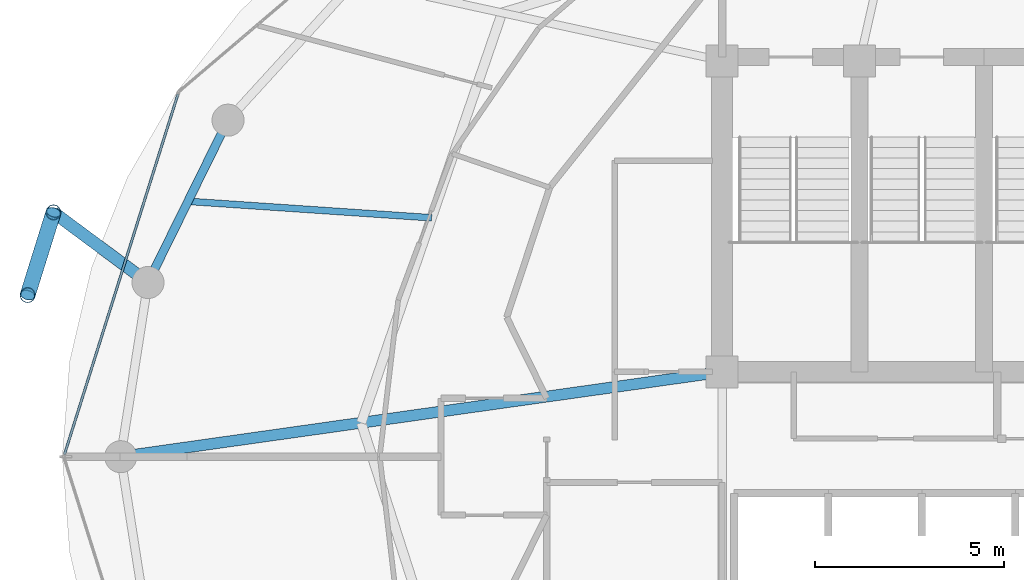
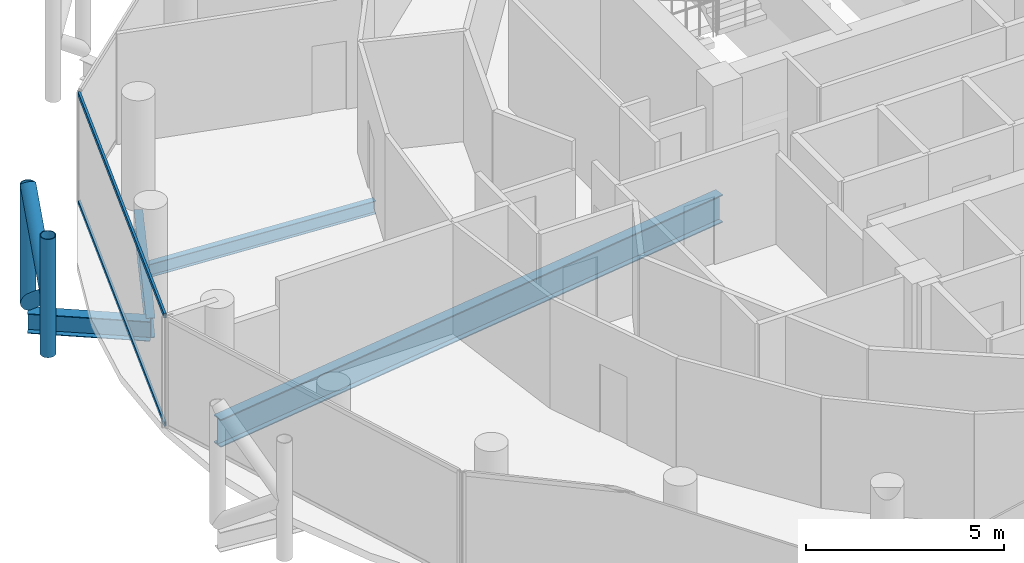
# One storey, part 8 of 28: 6 members, 4 beams, 1 element without a shape of its own.
"""IFC4 building model written with IfcOpenShell, lengths in metres."""

from ifc_helpers import new_model, si_unit, direction, frame, origin, origin_2d, place, context, subcontext, project, spatial, hollow_rectangle, hollow_circle, i_section, extrude, material, layer, layer_set, material_profile, profile_set, type_object, element, aggregate, save


model = new_model("IFC4")

# Units and contexts
model_context = context("Model", 3, precision=1e-05, world=origin(), true_north=direction((0.0, 1.0)))
body_context = subcontext(model_context, "Body", "Model", "MODEL_VIEW")
ifc_project = project(units=[si_unit("LENGTHUNIT", "METRE"), si_unit("AREAUNIT", "SQUARE_METRE"), si_unit("VOLUMEUNIT", "CUBIC_METRE"), si_unit("PLANEANGLEUNIT", "RADIAN"), si_unit("MASSUNIT", "GRAM", prefix="KILO")], contexts=[model_context])

# Site, building, storey
site_placement = place(None, origin())
site = spatial("IfcSite", under=ifc_project, at=site_placement, CompositionType="ELEMENT")
building_placement = place(site_placement, origin())
building = spatial("IfcBuilding", under=site, at=building_placement, Name="Nuhasar Tower", CompositionType="ELEMENT")
storey_placement = place(building_placement, frame((0.0, 0.0, 222.75)))
storey = spatial("IfcBuildingStorey", under=building, at=storey_placement, Name="L54", CompositionType="ELEMENT", Elevation=222.75)

# Beams
ifc_material_1 = material(Name="Steel S355", Category="steel")
ifc_material_profile_1 = material_profile(ifc_material_1, i_section(OverallWidth=0.177978515625, OverallDepth=0.406005859375, WebThickness=0.0078125, FlangeThickness=0.0126953125, at=origin_2d()), Name="W16X40")
ifc_profile_set_1 = profile_set([ifc_material_profile_1], Name="Steel S355")
beam_type_1 = type_object("IfcBeamType", Name="BM-JST-W16X40", PredefinedType="JOIST", material=ifc_profile_set_1)
beam_1_placement = place(storey_placement, frame((25.9970703125, 33.135986328125, -0.443115234375), z_axis=(-0.997721156568, 0.067472170095, 0.0), x_axis=(-0.067472170095, -0.997721156568, 0.0)))
element("IfcBeam", 1, at=beam_1_placement, inside=storey, type_object=beam_type_1, Name="L54 Secondary Floor Joist 07", PredefinedType="JOIST", context=body_context, shape_type="SweptSolid", body=[
    extrude(i_section(OverallWidth=0.177978515625, OverallDepth=0.406005859375, WebThickness=0.0078125, FlangeThickness=0.0126953125, at=origin_2d()), origin(), (0.0, 0.0, 1.0), 6.476806640625),
])
ifc_material_profile_2 = material_profile(ifc_material_1, i_section(OverallWidth=0.2919921875, OverallDepth=0.85888671875, WebThickness=0.01708984375, FlangeThickness=0.031005859375, at=origin_2d()), Name="W33X169")
ifc_profile_set_2 = profile_set([ifc_material_profile_2], Name="Steel S355")
beam_type_2 = type_object("IfcBeamType", Name="BM-POD-W33X169", PredefinedType="BEAM", material=ifc_profile_set_2)
beam_2_placement = place(storey_placement, frame((33.699951171875, 29.050048828125, -0.6689453125), z_axis=(-0.990196233464, -0.139683281866, 0.0), x_axis=(0.139683281866, -0.990196233464, 0.0)))
element("IfcBeam", 2, at=beam_2_placement, inside=storey, type_object=beam_type_2, Name="L54 Radial Floor Girder 08", PredefinedType="BEAM", context=body_context, shape_type="SweptSolid", body=[
    extrude(i_section(OverallWidth=0.2919921875, OverallDepth=0.85888671875, WebThickness=0.01708984375, FlangeThickness=0.031005859375, at=origin_2d()), origin(), (0.0, 0.0, 1.0), 16.10791015625),
])
ifc_material_profile_3 = material_profile(ifc_material_1, i_section(OverallWidth=0.22802734375, OverallDepth=0.60791015625, WebThickness=0.01123046875, FlangeThickness=0.017333984375, at=origin_2d()), Name="W24X76")
ifc_profile_set_3 = profile_set([ifc_material_profile_3], Name="Steel S355")
beam_type_3 = type_object("IfcBeamType", Name="BM-RING-W24X76", PredefinedType="SPANDREL", material=ifc_profile_set_3)
beam_3_placement = place(storey_placement, frame((20.596923828125, 35.72509765625, -0.5439453125), z_axis=(-0.442242604409, -0.896895467067, 0.0), x_axis=(0.896895467067, -0.442242604409, 0.0)))
element("IfcBeam", 3, at=beam_3_placement, inside=storey, type_object=beam_type_3, Name="L54 Perimeter Ring Spandrel 11", PredefinedType="SPANDREL", context=body_context, shape_type="SweptSolid", body=[
    extrude(i_section(OverallWidth=0.22802734375, OverallDepth=0.60791015625, WebThickness=0.01123046875, FlangeThickness=0.017333984375, at=origin_2d()), origin(), (0.0, 0.0, 1.0), 4.800048828125),
])
ifc_material_profile_4 = material_profile(ifc_material_1, i_section(OverallWidth=0.323974609375, OverallDepth=0.611083984375, WebThickness=0.0126953125, FlangeThickness=0.01904296875, at=origin_2d()), Name="W24X104")
ifc_profile_set_4 = profile_set([ifc_material_profile_4], Name="Steel S355")
beam_type_4 = type_object("IfcBeamType", Name="BM-TIE-W24X104", PredefinedType="BEAM", material=ifc_profile_set_4)
beam_4_placement = place(storey_placement, frame((18.47412109375, 31.419921875, -0.5458984375), z_axis=(-0.802945922723, 0.596051881285, 0.0), x_axis=(-0.596051881285, -0.802945922723, 0.0)))
element("IfcBeam", 4, at=beam_4_placement, inside=storey, type_object=beam_type_4, Name="L54 Exoskeleton Node Tie Beam 06", PredefinedType="BEAM", context=body_context, shape_type="SweptSolid", body=[
    extrude(i_section(OverallWidth=0.323974609375, OverallDepth=0.611083984375, WebThickness=0.0126953125, FlangeThickness=0.01904296875, at=origin_2d()), origin(), (0.0, 0.0, 1.0), 3.122314453125),
])

# Curtain wall, members
ifc_material_2 = material(Name="Aluminium 6063-T6", Category="aluminium")
ifc_layer = layer(ifc_material_2, 0.18994140625)
ifc_layer_set = layer_set([ifc_layer], Name="Aluminium 6063-T6")
curtain_wall_type = type_object("IfcCurtainWallType", Name="CW-Z3-RES", PredefinedType="NOTDEFINED", material=ifc_layer_set)
curtain_wall_placement = place(storey_placement, origin())
curtain_wall = element("IfcCurtainWall", 5, at=curtain_wall_placement, inside=storey, type_object=curtain_wall_type, Name="L54 Unitised Curtain Wall 06", PredefinedType="NOTDEFINED")
ifc_material_profile_5 = material_profile(ifc_material_2, hollow_rectangle(XDim=0.06494140625, YDim=0.139892578125, WallThickness=0.00439453125, at=origin_2d()), Name="CWT-4")
ifc_profile_set_5 = profile_set([ifc_material_profile_5], Name="Aluminium 6063-T6")
member_type_1 = type_object("IfcMemberType", Name="CW-TRN-S4", PredefinedType="USERDEFINED", material=ifc_profile_set_5)
member_1_placement = place(storey_placement, frame((19.26953125, 36.41796875, 0.032470703125), z_axis=(-0.300437373386, -0.953801543652, 0.0), x_axis=(0.953801543652, -0.300437373386, 0.0)))
member_1 = element("IfcMember", 6, at=member_1_placement, type_object=member_type_1, Name="CW-Z3 transom 1.1", ObjectType="TRANSOM", PredefinedType="USERDEFINED", context=body_context, shape_type="SweptSolid", body=[
    extrude(hollow_rectangle(XDim=0.06494140625, YDim=0.139892578125, WallThickness=0.00439453125, at=origin_2d()), origin(), (0.0, 0.0, 1.0), 10.018798828125),
])
member_2_placement = place(storey_placement, frame((19.26953125, 36.41796875, 3.37744140625), z_axis=(-0.300437373386, -0.953801543652, 0.0), x_axis=(0.953801543652, -0.300437373386, 0.0)))
member_2 = element("IfcMember", 7, at=member_2_placement, type_object=member_type_1, Name="CW-Z3 transom 1.2", ObjectType="TRANSOM", PredefinedType="USERDEFINED", context=body_context, shape_type="SweptSolid", body=[
    extrude(hollow_rectangle(XDim=0.06494140625, YDim=0.139892578125, WallThickness=0.00439453125, at=origin_2d()), origin(), (0.0, 0.0, 1.0), 10.018798828125),
])
aggregate(curtain_wall, [member_1, member_2])

# Members
ifc_material_3 = material(Name="Steel S460", Category="steel")
ifc_material_profile_6 = material_profile(ifc_material_3, hollow_circle(Radius=0.203125, WallThickness=0.01904296875, at=origin_2d()), Name="HSS406.4X19.1")
ifc_profile_set_6 = profile_set([ifc_material_profile_6], Name="Steel S460")
member_type_2 = type_object("IfcMemberType", Name="EXO-BRONZE-406", PredefinedType="BRACE", material=ifc_profile_set_6)
for number, where, z_axis, x_axis, name in (
    (8, (15.967041015625, 33.281005859375, 0.0), (0.0, 0.0, 1.0), (1.0, 0.0, 0.0), "L54 Exoskeleton Chord Column EC-06A"),
    (9, (15.281982421875, 31.0859375, 0.0), (0.0, 0.0, 1.0), (1.0, 0.0, 0.0), "L54 Exoskeleton Chord Column EC-06B"),
):
    element("IfcMember", number, at=place(storey_placement, frame(where, z_axis=z_axis, x_axis=x_axis)), inside=storey, type_object=member_type_2, Name=name, PredefinedType="BRACE", context=body_context, shape_type="SweptSolid", body=[
        extrude(hollow_circle(Radius=0.203125, WallThickness=0.01904296875, at=origin_2d()), origin(), (0.0, 0.0, 1.0), 3.64990234375),
    ])
for number, where, z_axis, x_axis, name in (
    (10, (15.967041015625, 33.281005859375, 0.0), (-0.233357911711, -0.747726651531, 0.621650174641), (0.954591372974, -0.297918295247, 0.0), "L54 Bronze Diagrid Brace W1-06"),
    (11, (15.281982421875, 31.0859375, 1.824951171875), (0.233357911711, 0.747726651531, 0.621650174641), (-0.954591372974, 0.297918295247, 0.0), "L54 Bronze Diagrid Brace W2-06"),
):
    element("IfcMember", number, at=place(storey_placement, frame(where, z_axis=z_axis, x_axis=x_axis)), inside=storey, type_object=member_type_2, Name=name, PredefinedType="BRACE", context=body_context, shape_type="SweptSolid", body=[
        extrude(hollow_circle(Radius=0.203125, WallThickness=0.01904296875, at=origin_2d()), origin(), (0.0, 0.0, 1.0), 2.935546875),
    ])

save(model, "model.ifc")
